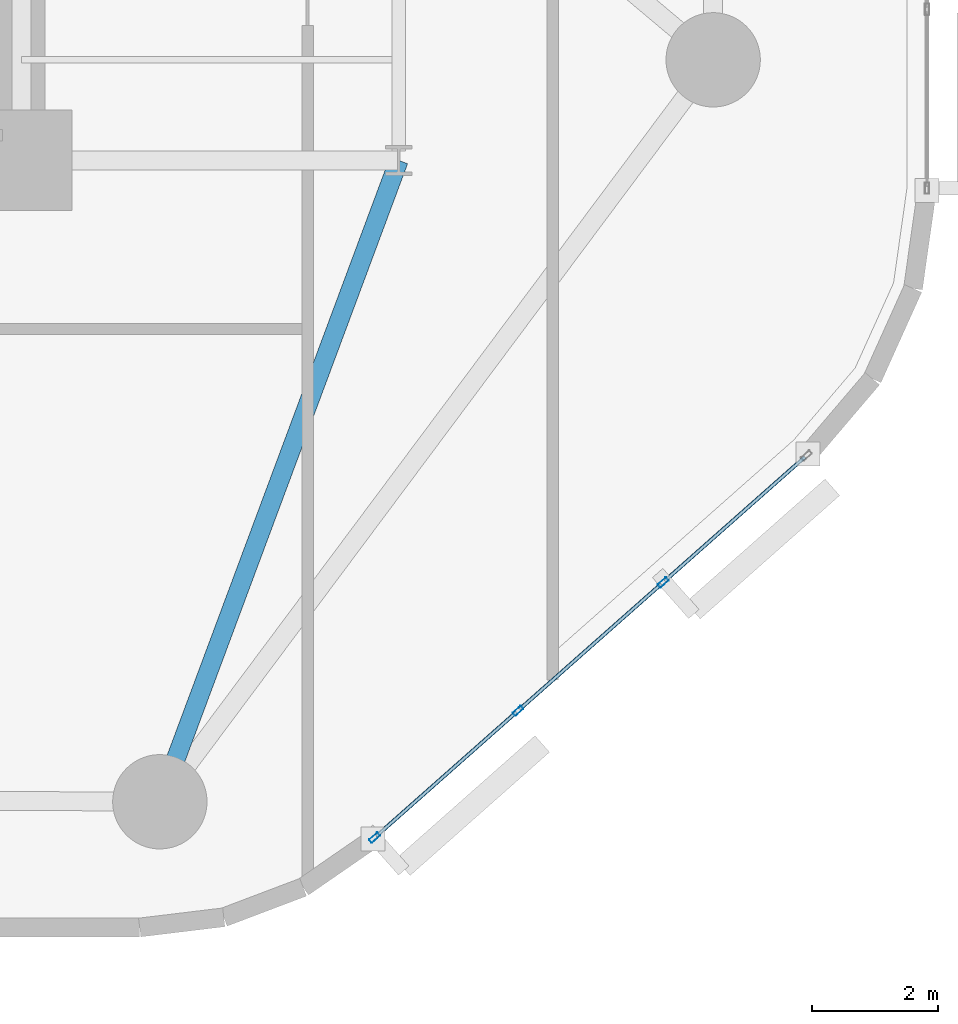
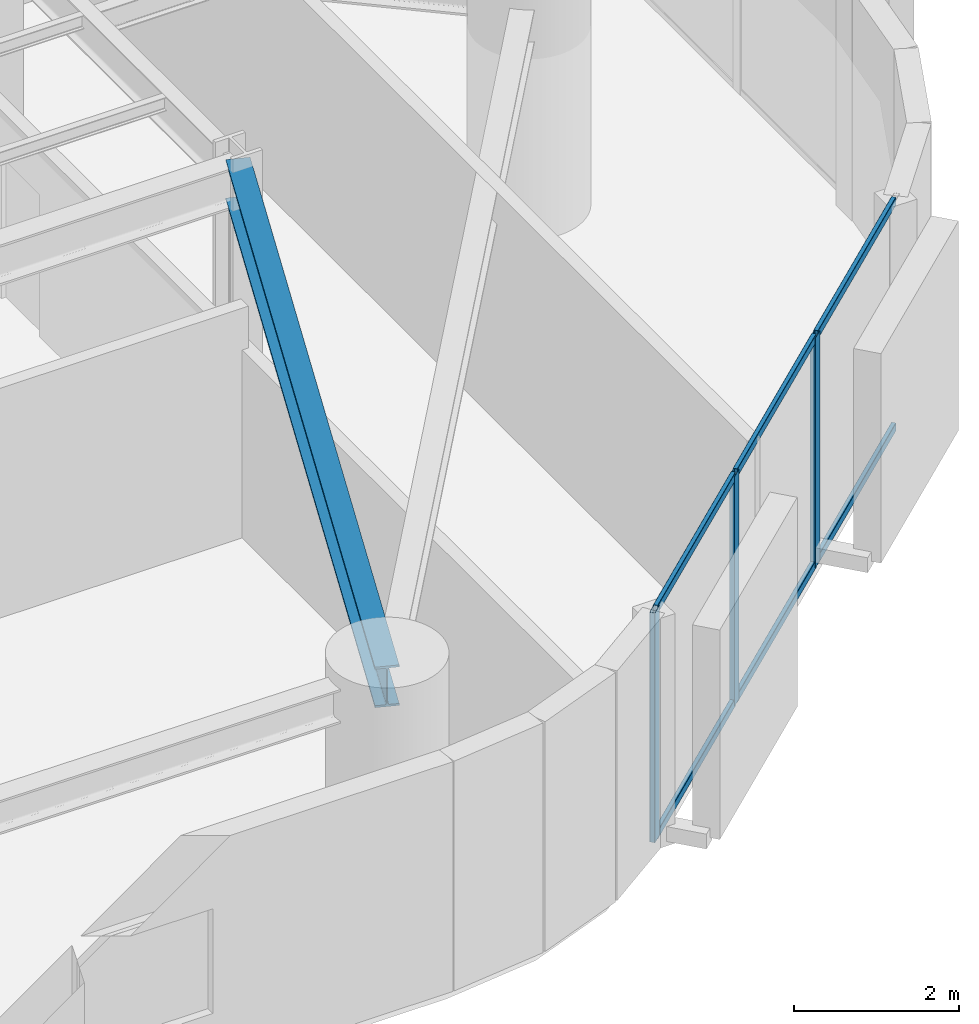
# One storey, part 2 of 15: 9 members, 1 beam, 1 element without a shape of its own.
"""IFC4 building model written with IfcOpenShell, lengths in metres."""

from ifc_helpers import new_model, si_unit, direction, frame, origin, origin_2d, place, context, subcontext, project, spatial, hollow_rectangle, i_section, extrude, material, layer, layer_set, material_profile, profile_set, type_object, element, aggregate, save


model = new_model("IFC4")

# Units and contexts
model_context = context("Model", 3, precision=1e-05, world=origin(), true_north=direction((0.0, 1.0)))
body_context = subcontext(model_context, "Body", "Model", "MODEL_VIEW")
ifc_project = project(units=[si_unit("LENGTHUNIT", "METRE"), si_unit("AREAUNIT", "SQUARE_METRE"), si_unit("VOLUMEUNIT", "CUBIC_METRE"), si_unit("PLANEANGLEUNIT", "RADIAN"), si_unit("MASSUNIT", "GRAM", prefix="KILO")], contexts=[model_context])

# Site, building, storey
site_placement = place(None, origin())
site = spatial("IfcSite", under=ifc_project, at=site_placement, CompositionType="ELEMENT")
building_placement = place(site_placement, origin())
building = spatial("IfcBuilding", under=site, at=building_placement, Name="An Khanh Terracotta Commons", CompositionType="ELEMENT")
storey_placement = place(building_placement, frame((0.0, 0.0, 61.199951171875)))
storey = spatial("IfcBuildingStorey", under=building, at=storey_placement, Name="L16", CompositionType="ELEMENT", Elevation=61.199951171875)

# Beam
ifc_material_1 = material(Name="Steel S355J2", Category="steel")
ifc_material_profile_1 = material_profile(ifc_material_1, i_section(OverallWidth=0.300048828125, OverallDepth=0.60009765625, WebThickness=0.015380859375, FlangeThickness=0.030029296875, FilletRadius=0.027099609375, at=origin_2d()), Name="HEB600")
ifc_profile_set_1 = profile_set([ifc_material_profile_1], Name="Steel S355J2")
beam_type = type_object("IfcBeamType", Name="BM-HEB600", PredefinedType="BEAM", material=ifc_profile_set_1)
beam_placement = place(storey_placement, frame((39.39990234375, 4.199951171875, 3.10009765625), z_axis=(0.349114429862, 0.937080100558, 0.0), x_axis=(-0.937080100558, 0.349114429862, 0.0)))
element("IfcBeam", 1, at=beam_placement, inside=storey, type_object=beam_type, Name="L16 Mega-Column Tie Girder 2", PredefinedType="BEAM", context=body_context, shape_type="SweptSolid", body=[
    extrude(i_section(OverallWidth=0.300048828125, OverallDepth=0.60009765625, WebThickness=0.015380859375, FlangeThickness=0.030029296875, FilletRadius=0.027099609375, at=origin_2d()), origin(), (0.0, 0.0, 1.0), 10.884765625),
])

# Curtain wall, members
ifc_material_2 = material(Name="Anodised Aluminium 6063-T6", Category="aluminium")
ifc_layer = layer(ifc_material_2, 0.199951171875, Name="Anodised Aluminium 6063-T6")
ifc_layer_set = layer_set([ifc_layer], Name="Anodised Aluminium 6063-T6")
curtain_wall_type = type_object("IfcCurtainWallType", Name="CW-SYS-02", PredefinedType="USERDEFINED", material=ifc_layer_set)
curtain_wall_placement = place(storey_placement, origin())
curtain_wall = element("IfcCurtainWall", 2, at=curtain_wall_placement, inside=storey, type_object=curtain_wall_type, Name="L16 CW-02 Unitised Curtain Wall CW-L16-08", ObjectType="UNITISED CURTAIN WALL", PredefinedType="USERDEFINED")
ifc_material_profile_2 = material_profile(ifc_material_2, hollow_rectangle(XDim=0.070068359375, YDim=0.179931640625, WallThickness=0.00390625, InnerFilletRadius=0.00390625, OuterFilletRadius=0.008056640625, at=origin_2d()), Name="RHS180x70x4")
ifc_profile_set_2 = profile_set([ifc_material_profile_2], Name="Anodised Aluminium 6063-T6")
member_type_1 = type_object("IfcMemberType", Name="CWM-RHS180x70x4", PredefinedType="MULLION", material=ifc_profile_set_2)
member_1_placement = place(storey_placement, frame((42.815185546875, 3.629150390625, 0.0), z_axis=(0.0, 0.0, 1.0), x_axis=(-0.662548195415, 0.749019284633, 0.0)))
member_1 = element("IfcMember", 3, at=member_1_placement, type_object=member_type_1, Name="CW-02 mullion 1", PredefinedType="MULLION", context=body_context, shape_type="SweptSolid", body=[
    extrude(hollow_rectangle(XDim=0.070068359375, YDim=0.179931640625, WallThickness=0.00390625, InnerFilletRadius=0.00390625, OuterFilletRadius=0.008056640625, at=origin_2d()), origin(), (0.0, 0.0, 1.0), 3.400146484375),
])
member_2_placement = place(storey_placement, frame((45.095947265625, 5.646728515625, 0.0), z_axis=(0.0, 0.0, 1.0), x_axis=(-0.662548195415, 0.749019284633, 0.0)))
member_2 = element("IfcMember", 4, at=member_2_placement, type_object=member_type_1, Name="CW-02 mullion 2", PredefinedType="MULLION", context=body_context, shape_type="SweptSolid", body=[
    extrude(hollow_rectangle(XDim=0.070068359375, YDim=0.179931640625, WallThickness=0.00390625, InnerFilletRadius=0.00390625, OuterFilletRadius=0.008056640625, at=origin_2d()), origin(), (0.0, 0.0, 1.0), 3.400146484375),
])
member_3_placement = place(storey_placement, frame((47.403076171875, 7.687255859375, 0.0), z_axis=(0.0, 0.0, 1.0), x_axis=(-0.662548195415, 0.749019284633, 0.0)))
member_3 = element("IfcMember", 5, at=member_3_placement, type_object=member_type_1, Name="CW-02 mullion 3", PredefinedType="MULLION", context=body_context, shape_type="SweptSolid", body=[
    extrude(hollow_rectangle(XDim=0.070068359375, YDim=0.179931640625, WallThickness=0.00390625, InnerFilletRadius=0.00390625, OuterFilletRadius=0.008056640625, at=origin_2d()), origin(), (0.0, 0.0, 1.0), 3.400146484375),
])
ifc_material_profile_3 = material_profile(ifc_material_2, hollow_rectangle(XDim=0.06005859375, YDim=0.1201171875, WallThickness=0.003662109375, InnerFilletRadius=0.003662109375, OuterFilletRadius=0.007080078125, at=origin_2d()), Name="RHS120x60x3.6")
ifc_profile_set_3 = profile_set([ifc_material_profile_3], Name="Anodised Aluminium 6063-T6")
member_type_2 = type_object("IfcMemberType", Name="CWT-RHS120x60x3.6", PredefinedType="USERDEFINED", material=ifc_profile_set_3)
member_4_placement = place(storey_placement, frame((42.841552734375, 3.65234375, 0.030029296875), z_axis=(0.74899186341, 0.662579194168, 0.0), x_axis=(-0.662579194168, 0.74899186341, 0.0)))
member_4 = element("IfcMember", 6, at=member_4_placement, type_object=member_type_2, Name="CW-02 transom 1.1", ObjectType="TRANSOM", PredefinedType="USERDEFINED", context=body_context, shape_type="SweptSolid", body=[
    extrude(hollow_rectangle(XDim=0.06005859375, YDim=0.1201171875, WallThickness=0.003662109375, InnerFilletRadius=0.003662109375, OuterFilletRadius=0.007080078125, at=origin_2d()), origin(), (0.0, 0.0, 1.0), 2.97509765625),
])
member_5_placement = place(storey_placement, frame((42.841552734375, 3.65234375, 3.3701171875), z_axis=(0.74899186341, 0.662579194168, 0.0), x_axis=(-0.662579194168, 0.74899186341, 0.0)))
member_5 = element("IfcMember", 7, at=member_5_placement, type_object=member_type_2, Name="CW-02 transom 1.2", ObjectType="TRANSOM", PredefinedType="USERDEFINED", context=body_context, shape_type="SweptSolid", body=[
    extrude(hollow_rectangle(XDim=0.06005859375, YDim=0.1201171875, WallThickness=0.003662109375, InnerFilletRadius=0.003662109375, OuterFilletRadius=0.007080078125, at=origin_2d()), origin(), (0.0, 0.0, 1.0), 2.97509765625),
])
member_6_placement = place(storey_placement, frame((45.122314453125, 5.669921875, 0.030029296875), z_axis=(0.749018237701, 0.662549378984, 0.0), x_axis=(-0.662549378984, 0.749018237701, 0.0)))
member_6 = element("IfcMember", 8, at=member_6_placement, type_object=member_type_2, Name="CW-02 transom 2.1", ObjectType="TRANSOM", PredefinedType="USERDEFINED", context=body_context, shape_type="SweptSolid", body=[
    extrude(hollow_rectangle(XDim=0.06005859375, YDim=0.1201171875, WallThickness=0.003662109375, InnerFilletRadius=0.003662109375, OuterFilletRadius=0.007080078125, at=origin_2d()), origin(), (0.0, 0.0, 1.0), 3.009765625),
])
member_7_placement = place(storey_placement, frame((45.122314453125, 5.669921875, 3.3701171875), z_axis=(0.749018237701, 0.662549378984, 0.0), x_axis=(-0.662549378984, 0.749018237701, 0.0)))
member_7 = element("IfcMember", 9, at=member_7_placement, type_object=member_type_2, Name="CW-02 transom 2.2", ObjectType="TRANSOM", PredefinedType="USERDEFINED", context=body_context, shape_type="SweptSolid", body=[
    extrude(hollow_rectangle(XDim=0.06005859375, YDim=0.1201171875, WallThickness=0.003662109375, InnerFilletRadius=0.003662109375, OuterFilletRadius=0.007080078125, at=origin_2d()), origin(), (0.0, 0.0, 1.0), 3.009765625),
])
member_8_placement = place(storey_placement, frame((47.42919921875, 7.71044921875, 0.030029296875), z_axis=(0.74899186341, 0.662579194168, 0.0), x_axis=(-0.662579194168, 0.74899186341, 0.0)))
member_8 = element("IfcMember", 10, at=member_8_placement, type_object=member_type_2, Name="CW-02 transom 3.1", ObjectType="TRANSOM", PredefinedType="USERDEFINED", context=body_context, shape_type="SweptSolid", body=[
    extrude(hollow_rectangle(XDim=0.06005859375, YDim=0.1201171875, WallThickness=0.003662109375, InnerFilletRadius=0.003662109375, OuterFilletRadius=0.007080078125, at=origin_2d()), origin(), (0.0, 0.0, 1.0), 2.97509765625),
])
member_9_placement = place(storey_placement, frame((47.42919921875, 7.71044921875, 3.3701171875), z_axis=(0.74899186341, 0.662579194168, 0.0), x_axis=(-0.662579194168, 0.74899186341, 0.0)))
member_9 = element("IfcMember", 11, at=member_9_placement, type_object=member_type_2, Name="CW-02 transom 3.2", ObjectType="TRANSOM", PredefinedType="USERDEFINED", context=body_context, shape_type="SweptSolid", body=[
    extrude(hollow_rectangle(XDim=0.06005859375, YDim=0.1201171875, WallThickness=0.003662109375, InnerFilletRadius=0.003662109375, OuterFilletRadius=0.007080078125, at=origin_2d()), origin(), (0.0, 0.0, 1.0), 2.97509765625),
])
aggregate(curtain_wall, [member_1, member_2, member_3, member_4, member_5, member_6, member_7, member_8, member_9])

save(model, "model.ifc")
